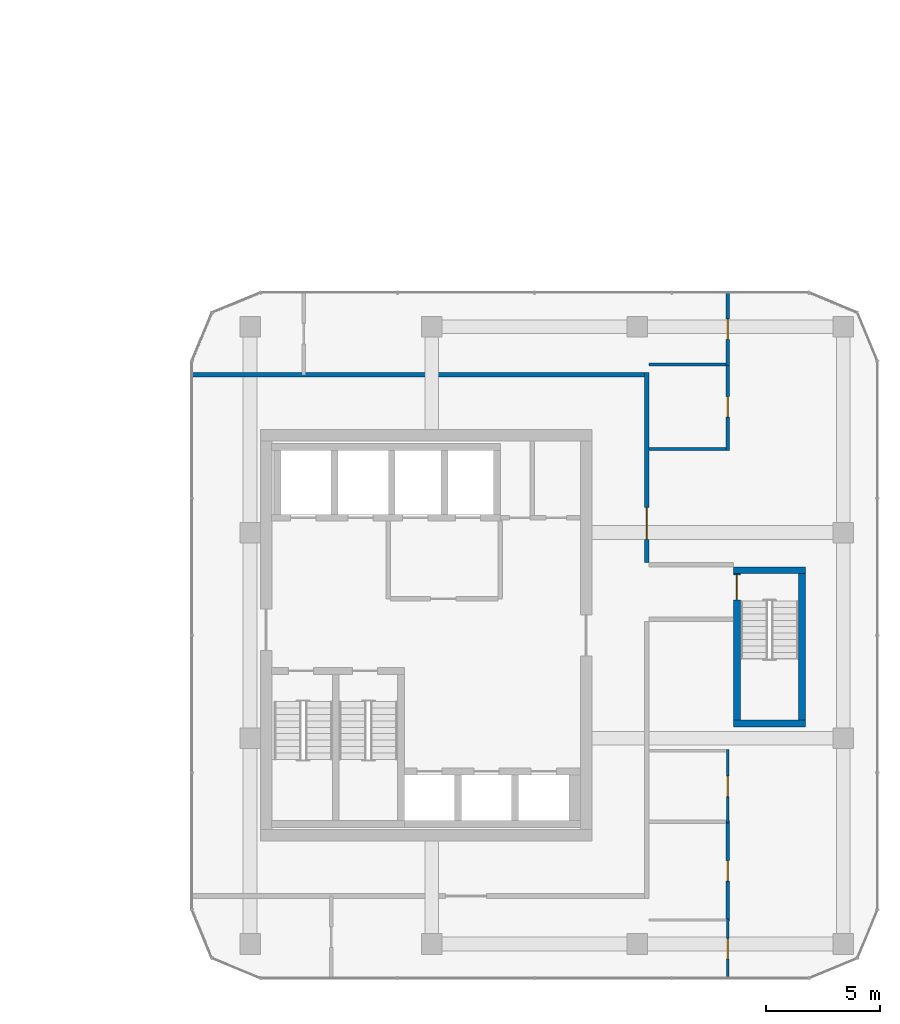
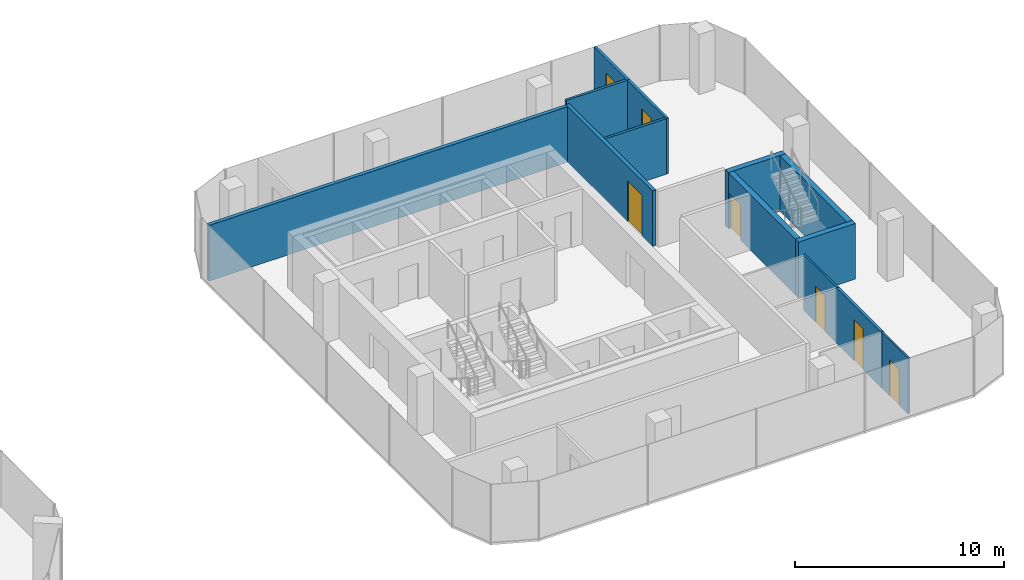
# One storey, part 19 of 23: 13 walls, 7 doors, 7 openings.
"""IFC4 building model written with IfcOpenShell, lengths in metres."""

from ifc_helpers import new_model, si_unit, direction, frame, frame_2d, origin, place, context, subcontext, project, spatial, rectangle, extrude, material, layer, layer_set, type_object, element, fill, save


model = new_model("IFC4")

# Units and contexts
model_context = context("Model", 3, precision=1e-05, world=origin(), true_north=direction((0.0, 1.0)))
body_context = subcontext(model_context, "Body", "Model", "MODEL_VIEW")
ifc_project = project(units=[si_unit("LENGTHUNIT", "METRE"), si_unit("AREAUNIT", "SQUARE_METRE"), si_unit("VOLUMEUNIT", "CUBIC_METRE"), si_unit("PLANEANGLEUNIT", "RADIAN"), si_unit("MASSUNIT", "GRAM", prefix="KILO")], contexts=[model_context])

# Site, building, storey
site_placement = place(None, origin())
site = spatial("IfcSite", under=ifc_project, at=site_placement, CompositionType="ELEMENT")
building_placement = place(site_placement, origin())
building = spatial("IfcBuilding", under=site, at=building_placement, Name="Plateau Cross Towers", CompositionType="ELEMENT")
storey_placement = place(building_placement, frame((0.0, 0.0, 40.800048828125)))
storey = spatial("IfcBuildingStorey", under=building, at=storey_placement, Name="L09", CompositionType="ELEMENT", Elevation=40.800048828125)

# Wall, opening, door
ifc_material_1 = material(Name="Concrete C60/75", Category="concrete")
ifc_layer_1 = layer(ifc_material_1, 0.300048828125)
ifc_layer_set_1 = layer_set([ifc_layer_1], Name="Concrete C60/75")
wall_type_1 = type_object("IfcWallType", Name="Core shaft wall 300", PredefinedType="SHEAR", material=ifc_layer_set_1)
wall_1_placement = place(storey_placement, frame((95.85009765625, 5.300048828125, 0.0), z_axis=(0.0, 0.0, 1.0), x_axis=(0.0, 1.0, 0.0)))
wall_1 = element("IfcWall", 1, at=wall_1_placement, inside=storey, type_object=wall_type_1, Name="B-sb3-W@L09", PredefinedType="SHEAR", context=body_context, shape_type="SweptSolid", body=[
    extrude(rectangle(XDim=6.39990234375, YDim=0.300048828125, at=frame_2d((3.199951171875, 0.0))), origin(), (0.0, 0.0, 1.0), 3.25),
])
opening_1_placement = place(wall_1_placement, frame((5.25, 0.0, 0.0)))
opening_1 = element("IfcOpeningElement", 2, at=opening_1_placement, cuts=wall_1, Name="Opening SD", PredefinedType="OPENING", context=body_context, shape_type="SweptSolid", body=[
    extrude(rectangle(XDim=1.10009765625, YDim=2.10009765625, at=frame_2d((0.550048828125, 1.050048828125))), frame((0.0, 0.159912109375, 0.0), z_axis=(0.0, -1.0, 0.0), x_axis=(1.0, 0.0, 0.0)), (0.0, 0.0, 1.0), 0.320068359375),
])
ifc_material_2 = material(Name="Steel, fire-resisting leaf", Category="steel")
door_type_1 = type_object("IfcDoorType", Name="Stair door 1100", OperationType="NOTDEFINED", PredefinedType="DOOR", material=ifc_material_2)
door_1_placement = place(opening_1_placement, origin())
door_1 = element("IfcDoor", 3, at=door_1_placement, inside=storey, type_object=door_type_1, Name="Stair door SD", OperationType="SINGLE_SWING_LEFT", OverallHeight=2.10009765625, OverallWidth=1.10009765625, PredefinedType="DOOR", context=body_context, shape_type="SweptSolid", body=[
    extrude(rectangle(XDim=1.10009765625, YDim=2.10009765625, at=frame_2d((0.550048828125, 1.050048828125))), frame((0.0, 0.02490234375, 0.0), z_axis=(0.0, -1.0, 0.0), x_axis=(1.0, 0.0, 0.0)), (0.0, 0.0, 1.0), 0.050048828125),
])
fill(opening_1, door_1)

# Walls
wall_2_placement = place(storey_placement, frame((98.699951171875, 5.300048828125, 0.0), z_axis=(0.0, 0.0, 1.0), x_axis=(0.0, 1.0, 0.0)))
element("IfcWall", 4, at=wall_2_placement, inside=storey, type_object=wall_type_1, Name="B-sb3-E@L09", PredefinedType="SHEAR", context=body_context, shape_type="SweptSolid", body=[
    extrude(rectangle(XDim=6.39990234375, YDim=0.300048828125, at=frame_2d((3.199951171875, 0.0))), origin(), (0.0, 0.0, 1.0), 3.25),
])
for number, where, z_axis, x_axis, name in (
    (5, (95.699951171875, 5.14990234375, 0.0), (0.0, 0.0, 1.0), (1.0, 0.0, 0.0), "B-sb3-S@L09"),
    (6, (95.699951171875, 11.85009765625, 0.0), (0.0, 0.0, 1.0), (1.0, 0.0, 0.0), "B-sb3-N@L09"),
):
    element("IfcWall", number, at=place(storey_placement, frame(where, z_axis=z_axis, x_axis=x_axis)), inside=storey, type_object=wall_type_1, Name=name, PredefinedType="SHEAR", context=body_context, shape_type="SweptSolid", body=[
        extrude(rectangle(XDim=3.150146484375, YDim=0.300048828125, at=frame_2d((1.5751953125, 0.0))), origin(), (0.0, 0.0, 1.0), 3.25),
    ])
ifc_material_3 = material(Name="Gypsum board on steel studs, two layers each side", Category="steel")
ifc_layer_2 = layer(ifc_material_3, 0.199951171875)
ifc_layer_set_2 = layer_set([ifc_layer_2], Name="Gypsum board on steel studs, two layers each side")
wall_type_2 = type_object("IfcWallType", Name="Corridor wall 200", PredefinedType="PARTITIONING", material=ifc_layer_set_2)
wall_3_placement = place(storey_placement, frame((72.0, 20.39990234375, 0.0), z_axis=(0.0, 0.0, 1.0), x_axis=(1.0, 0.0, 0.0)))
element("IfcWall", 7, at=wall_3_placement, inside=storey, type_object=wall_type_2, Name="Ring wall", PredefinedType="PARTITIONING", context=body_context, shape_type="SweptSolid", body=[
    extrude(rectangle(XDim=20.0, YDim=0.199951171875, at=frame_2d((10.0, 0.0))), origin(), (0.0, 0.0, 1.0), 3.25),
])

# Wall, opening, door
wall_4_placement = place(storey_placement, frame((91.89990234375, 12.199951171875, 0.0), z_axis=(0.0, 0.0, 1.0), x_axis=(0.0, 1.0, 0.0)))
wall_4 = element("IfcWall", 8, at=wall_4_placement, inside=storey, type_object=wall_type_2, Name="Ring wall", PredefinedType="PARTITIONING", context=body_context, shape_type="SweptSolid", body=[
    extrude(rectangle(XDim=8.300048828125, YDim=0.199951171875, at=frame_2d((4.14990234375, 0.0))), origin(), (0.0, 0.0, 1.0), 3.25),
])
opening_2_placement = place(wall_4_placement, frame((1.0, 0.0, 0.0)))
opening_2 = element("IfcOpeningElement", 9, at=opening_2_placement, cuts=wall_4, Name="Opening D-BE14", PredefinedType="OPENING", context=body_context, shape_type="SweptSolid", body=[
    extrude(rectangle(XDim=1.39990234375, YDim=2.39990234375, at=frame_2d((0.699951171875, 1.199951171875))), frame((0.0, 0.10986328125, 0.0), z_axis=(0.0, -1.0, 0.0), x_axis=(1.0, 0.0, 0.0)), (0.0, 0.0, 1.0), 0.219970703125),
])
ifc_material_4 = material(Name="Timber, fire-resisting leaves", Category="wood")
door_type_2 = type_object("IfcDoorType", Name="Tenant entrance double-leaf 1400x2400", OperationType="NOTDEFINED", PredefinedType="DOOR", material=ifc_material_4)
door_2_placement = place(opening_2_placement, origin())
door_2 = element("IfcDoor", 10, at=door_2_placement, inside=storey, type_object=door_type_2, Name="Door D-BE14", OperationType="DOUBLE_DOOR_SINGLE_SWING", OverallHeight=2.39990234375, OverallWidth=1.39990234375, PredefinedType="DOOR", context=body_context, shape_type="SweptSolid", body=[
    extrude(rectangle(XDim=1.39990234375, YDim=2.39990234375, at=frame_2d((0.699951171875, 1.199951171875))), frame((0.0, 0.02490234375, 0.0), z_axis=(0.0, -1.0, 0.0), x_axis=(1.0, 0.0, 0.0)), (0.0, 0.0, 1.0), 0.050048828125),
])
fill(opening_2, door_2)

ifc_material_5 = material(Name="Gypsum board on staggered steel studs, mineral wool, two layers each side", Category="steel")
ifc_layer_3 = layer(ifc_material_5, 0.139892578125)
ifc_layer_set_3 = layer_set([ifc_layer_3], Name="Gypsum board on staggered steel studs, mineral wool, two layers each side")
wall_type_3 = type_object("IfcWallType", Name="Meeting room acoustic partition 140", PredefinedType="PARTITIONING", material=ifc_layer_set_3)
wall_5_placement = place(storey_placement, frame((95.449951171875, -3.5, 0.0), z_axis=(0.0, 0.0, 1.0), x_axis=(0.0, 1.0, 0.0)))
wall_5 = element("IfcWall", 11, at=wall_5_placement, inside=storey, type_object=wall_type_3, Name="Acoustic wall", PredefinedType="PARTITIONING", context=body_context, shape_type="SweptSolid", body=[
    extrude(rectangle(XDim=4.39990234375, YDim=0.139892578125, at=frame_2d((2.199951171875, 0.0))), origin(), (0.0, 0.0, 1.0), 3.25),
])
opening_3_placement = place(wall_5_placement, frame((1.75, 0.0, 0.0)))
opening_3 = element("IfcOpeningElement", 12, at=opening_3_placement, cuts=wall_5, Name="Opening D-BM9", PredefinedType="OPENING", context=body_context, shape_type="SweptSolid", body=[
    extrude(rectangle(XDim=0.89990234375, YDim=2.39990234375, at=frame_2d((0.449951171875, 1.199951171875))), frame((0.0, 0.079833984375, 0.0), z_axis=(0.0, -1.0, 0.0), x_axis=(1.0, 0.0, 0.0)), (0.0, 0.0, 1.0), 0.159912109375),
])
ifc_material_6 = material(Name="Timber leaf, full height", Category="wood")
door_type_3 = type_object("IfcDoorType", Name="Meeting room door 900x2400", OperationType="NOTDEFINED", PredefinedType="DOOR", material=ifc_material_6)
door_3_placement = place(opening_3_placement, origin())
door_3 = element("IfcDoor", 13, at=door_3_placement, inside=storey, type_object=door_type_3, Name="Door D-BM9", OperationType="SINGLE_SWING_LEFT", OverallHeight=2.39990234375, OverallWidth=0.89990234375, PredefinedType="DOOR", context=body_context, shape_type="SweptSolid", body=[
    extrude(rectangle(XDim=0.89990234375, YDim=2.39990234375, at=frame_2d((0.449951171875, 1.199951171875))), frame((0.0, 0.02490234375, 0.0), z_axis=(0.0, -1.0, 0.0), x_axis=(1.0, 0.0, 0.0)), (0.0, 0.0, 1.0), 0.050048828125),
])
fill(opening_3, door_3)

wall_6_placement = place(storey_placement, frame((95.449951171875, 20.800048828125, 0.0), z_axis=(0.0, 0.0, 1.0), x_axis=(0.0, 1.0, 0.0)))
wall_6 = element("IfcWall", 14, at=wall_6_placement, inside=storey, type_object=wall_type_3, Name="Acoustic wall", PredefinedType="PARTITIONING", context=body_context, shape_type="SweptSolid", body=[
    extrude(rectangle(XDim=3.199951171875, YDim=0.139892578125, at=frame_2d((1.60009765625, 0.0))), origin(), (0.0, 0.0, 1.0), 3.25),
])
opening_4_placement = place(wall_6_placement, frame((1.14990234375, 0.0, 0.0)))
opening_4 = element("IfcOpeningElement", 15, at=opening_4_placement, cuts=wall_6, Name="Opening D-BM9", PredefinedType="OPENING", context=body_context, shape_type="SweptSolid", body=[
    extrude(rectangle(XDim=0.89990234375, YDim=2.39990234375, at=frame_2d((0.449951171875, 1.199951171875))), frame((0.0, 0.079833984375, 0.0), z_axis=(0.0, -1.0, 0.0), x_axis=(1.0, 0.0, 0.0)), (0.0, 0.0, 1.0), 0.159912109375),
])
door_4_placement = place(opening_4_placement, origin())
door_4 = element("IfcDoor", 16, at=door_4_placement, inside=storey, type_object=door_type_3, Name="Door D-BM9", OperationType="SINGLE_SWING_LEFT", OverallHeight=2.39990234375, OverallWidth=0.89990234375, PredefinedType="DOOR", context=body_context, shape_type="SweptSolid", body=[
    extrude(rectangle(XDim=0.89990234375, YDim=2.39990234375, at=frame_2d((0.449951171875, 1.199951171875))), frame((0.0, 0.02490234375, 0.0), z_axis=(0.0, -1.0, 0.0), x_axis=(1.0, 0.0, 0.0)), (0.0, 0.0, 1.0), 0.050048828125),
])
fill(opening_4, door_4)

# Wall
wall_7_placement = place(storey_placement, frame((92.0, 20.85009765625, 0.0), z_axis=(0.0, 0.0, 1.0), x_axis=(1.0, 0.0, 0.0)))
element("IfcWall", 17, at=wall_7_placement, inside=storey, type_object=wall_type_3, Name="Acoustic wall", PredefinedType="PARTITIONING", context=body_context, shape_type="SweptSolid", body=[
    extrude(rectangle(XDim=3.3798828125, YDim=0.139892578125, at=frame_2d((1.68994140625, 0.0))), origin(), (0.0, 0.0, 1.0), 3.25),
])

# Wall, opening, door
wall_8_placement = place(storey_placement, frame((95.449951171875, 17.10009765625, 0.0), z_axis=(0.0, 0.0, 1.0), x_axis=(0.0, 1.0, 0.0)))
wall_8 = element("IfcWall", 18, at=wall_8_placement, inside=storey, type_object=wall_type_3, Name="Acoustic wall", PredefinedType="PARTITIONING", context=body_context, shape_type="SweptSolid", body=[
    extrude(rectangle(XDim=3.7998046875, YDim=0.139892578125, at=frame_2d((1.89990234375, 0.0))), origin(), (0.0, 0.0, 1.0), 3.25),
])
opening_5_placement = place(wall_8_placement, frame((1.449951171875, 0.0, 0.0)))
opening_5 = element("IfcOpeningElement", 19, at=opening_5_placement, cuts=wall_8, Name="Opening D-BM9", PredefinedType="OPENING", context=body_context, shape_type="SweptSolid", body=[
    extrude(rectangle(XDim=0.89990234375, YDim=2.39990234375, at=frame_2d((0.449951171875, 1.199951171875))), frame((0.0, 0.079833984375, 0.0), z_axis=(0.0, -1.0, 0.0), x_axis=(1.0, 0.0, 0.0)), (0.0, 0.0, 1.0), 0.159912109375),
])
door_5_placement = place(opening_5_placement, origin())
door_5 = element("IfcDoor", 20, at=door_5_placement, inside=storey, type_object=door_type_3, Name="Door D-BM9", OperationType="SINGLE_SWING_LEFT", OverallHeight=2.39990234375, OverallWidth=0.89990234375, PredefinedType="DOOR", context=body_context, shape_type="SweptSolid", body=[
    extrude(rectangle(XDim=0.89990234375, YDim=2.39990234375, at=frame_2d((0.449951171875, 1.199951171875))), frame((0.0, 0.02490234375, 0.0), z_axis=(0.0, -1.0, 0.0), x_axis=(1.0, 0.0, 0.0)), (0.0, 0.0, 1.0), 0.050048828125),
])
fill(opening_5, door_5)

# Wall
wall_9_placement = place(storey_placement, frame((92.0, 17.14990234375, 0.0), z_axis=(0.0, 0.0, 1.0), x_axis=(1.0, 0.0, 0.0)))
element("IfcWall", 21, at=wall_9_placement, inside=storey, type_object=wall_type_3, Name="Acoustic wall", PredefinedType="PARTITIONING", context=body_context, shape_type="SweptSolid", body=[
    extrude(rectangle(XDim=3.3798828125, YDim=0.139892578125, at=frame_2d((1.68994140625, 0.0))), origin(), (0.0, 0.0, 1.0), 3.25),
])

# Wall, opening, door
ifc_material_7 = material(Name="Gypsum board on steel studs", Category="steel")
ifc_layer_4 = layer(ifc_material_7, 0.10009765625)
ifc_layer_set_4 = layer_set([ifc_layer_4], Name="Gypsum board on steel studs")
wall_type_4 = type_object("IfcWallType", Name="Office partition 100", PredefinedType="PARTITIONING", material=ifc_layer_set_4)
wall_10_placement = place(storey_placement, frame((95.449951171875, -6.0, 0.0), z_axis=(0.0, 0.0, 1.0), x_axis=(0.0, 1.0, 0.0)))
wall_10 = element("IfcWall", 22, at=wall_10_placement, inside=storey, type_object=wall_type_4, Name="Part wall", PredefinedType="PARTITIONING", context=body_context, shape_type="SweptSolid", body=[
    extrude(rectangle(XDim=2.60009765625, YDim=0.10009765625, at=frame_2d((1.300048828125, 0.0))), origin(), (0.0, 0.0, 1.0), 3.25),
])
opening_6_placement = place(wall_10_placement, frame((0.85009765625, 0.0, 0.0)))
opening_6 = element("IfcOpeningElement", 23, at=opening_6_placement, cuts=wall_10, Name="Opening D-BR9", PredefinedType="OPENING", context=body_context, shape_type="SweptSolid", body=[
    extrude(rectangle(XDim=0.89990234375, YDim=2.10009765625, at=frame_2d((0.449951171875, 1.050048828125))), frame((0.0, 0.06005859375, 0.0), z_axis=(0.0, -1.0, 0.0), x_axis=(1.0, 0.0, 0.0)), (0.0, 0.0, 1.0), 0.1201171875),
])
ifc_material_8 = material(Name="Timber leaf", Category="wood")
door_type_4 = type_object("IfcDoorType", Name="Office room door 900", OperationType="NOTDEFINED", PredefinedType="DOOR", material=ifc_material_8)
door_6_placement = place(opening_6_placement, origin())
door_6 = element("IfcDoor", 24, at=door_6_placement, inside=storey, type_object=door_type_4, Name="Door D-BR9", OperationType="SINGLE_SWING_LEFT", OverallHeight=2.10009765625, OverallWidth=0.89990234375, PredefinedType="DOOR", context=body_context, shape_type="SweptSolid", body=[
    extrude(rectangle(XDim=0.89990234375, YDim=2.10009765625, at=frame_2d((0.449951171875, 1.050048828125))), frame((0.0, 0.02490234375, 0.0), z_axis=(0.0, -1.0, 0.0), x_axis=(1.0, 0.0, 0.0)), (0.0, 0.0, 1.0), 0.050048828125),
])
fill(opening_6, door_6)

wall_11_placement = place(storey_placement, frame((95.449951171875, 0.800048828125, 0.0), z_axis=(0.0, 0.0, 1.0), x_axis=(0.0, 1.0, 0.0)))
wall_11 = element("IfcWall", 25, at=wall_11_placement, inside=storey, type_object=wall_type_4, Name="Part wall", PredefinedType="PARTITIONING", context=body_context, shape_type="SweptSolid", body=[
    extrude(rectangle(XDim=3.199951171875, YDim=0.10009765625, at=frame_2d((1.60009765625, 0.0))), origin(), (0.0, 0.0, 1.0), 3.25),
])
opening_7_placement = place(wall_11_placement, frame((1.14990234375, 0.0, 0.0)))
opening_7 = element("IfcOpeningElement", 26, at=opening_7_placement, cuts=wall_11, Name="Opening D-BR9", PredefinedType="OPENING", context=body_context, shape_type="SweptSolid", body=[
    extrude(rectangle(XDim=0.89990234375, YDim=2.10009765625, at=frame_2d((0.449951171875, 1.050048828125))), frame((0.0, 0.06005859375, 0.0), z_axis=(0.0, -1.0, 0.0), x_axis=(1.0, 0.0, 0.0)), (0.0, 0.0, 1.0), 0.1201171875),
])
door_7_placement = place(opening_7_placement, origin())
door_7 = element("IfcDoor", 27, at=door_7_placement, inside=storey, type_object=door_type_4, Name="Door D-BR9", OperationType="SINGLE_SWING_LEFT", OverallHeight=2.10009765625, OverallWidth=0.89990234375, PredefinedType="DOOR", context=body_context, shape_type="SweptSolid", body=[
    extrude(rectangle(XDim=0.89990234375, YDim=2.10009765625, at=frame_2d((0.449951171875, 1.050048828125))), frame((0.0, 0.02490234375, 0.0), z_axis=(0.0, -1.0, 0.0), x_axis=(1.0, 0.0, 0.0)), (0.0, 0.0, 1.0), 0.050048828125),
])
fill(opening_7, door_7)

save(model, "model.ifc")
